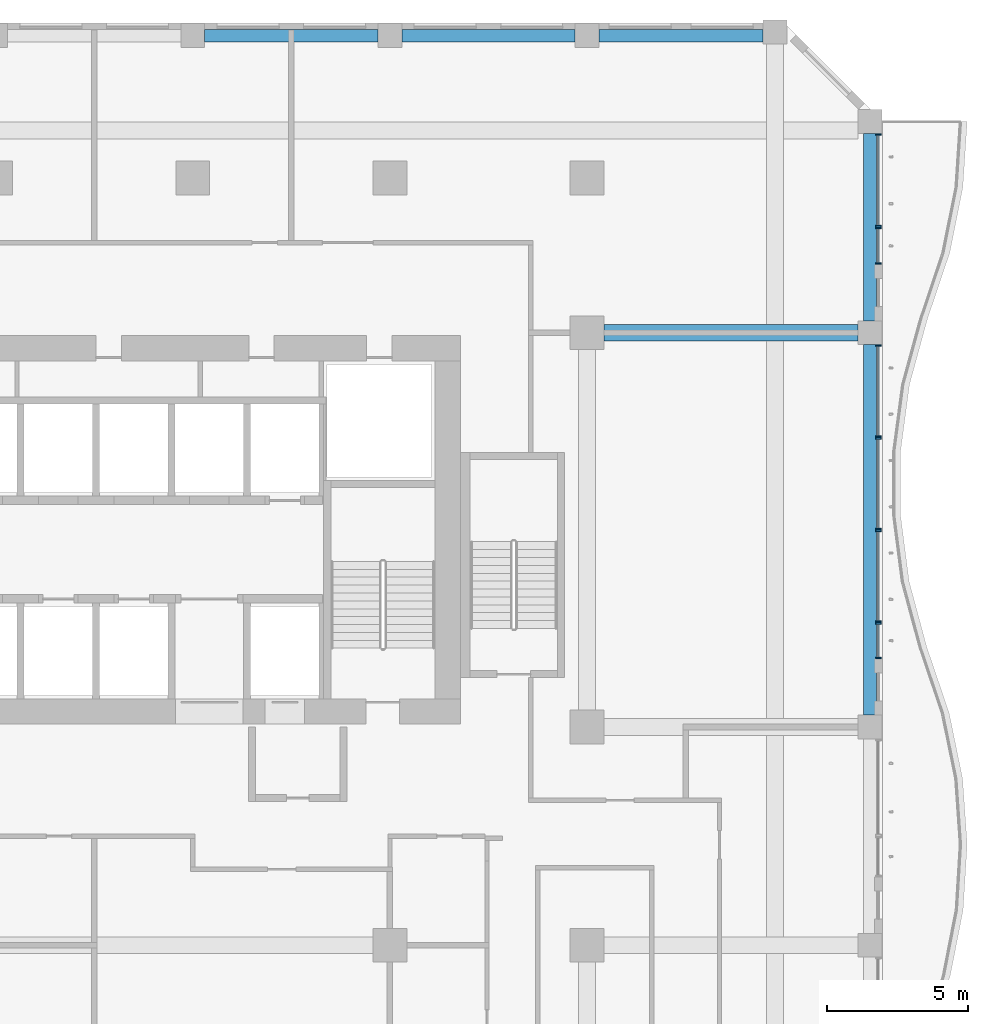
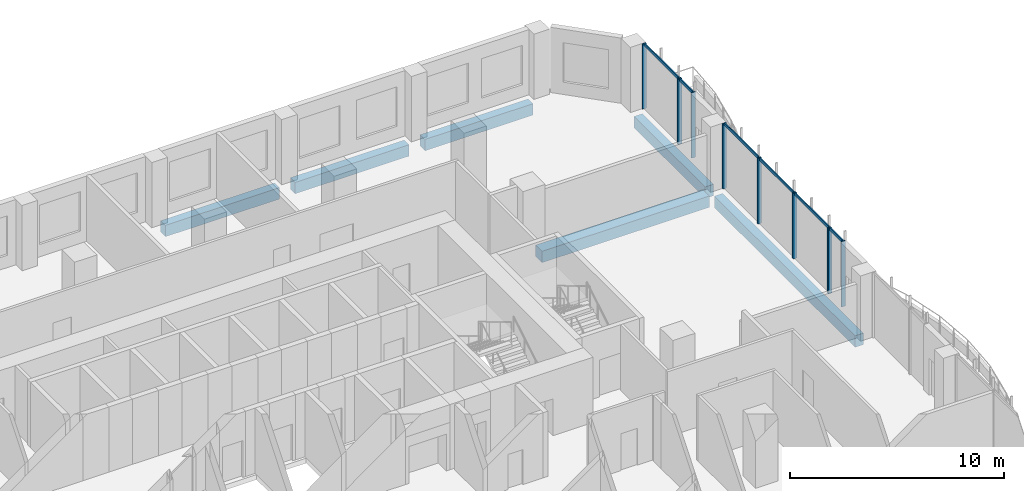
# One storey, part 10 of 27: 18 members, 6 beams, 6 elements without a shape of their own.
"""IFC4 building model written with IfcOpenShell, lengths in metres."""

from ifc_helpers import new_model, si_unit, direction, frame, origin, origin_2d, place, context, subcontext, project, spatial, rectangle, extrude, source, transform, mapped, material, material_profile, profile_set, type_object, element, aggregate, save


model = new_model("IFC4")

# Units and contexts
model_context = context("Model", 3, precision=1e-05, world=origin(), true_north=direction((0.0, 1.0)))
body_context = subcontext(model_context, "Body", "Model", "MODEL_VIEW")
ifc_project = project(units=[si_unit("LENGTHUNIT", "METRE"), si_unit("AREAUNIT", "SQUARE_METRE"), si_unit("VOLUMEUNIT", "CUBIC_METRE"), si_unit("PLANEANGLEUNIT", "RADIAN"), si_unit("MASSUNIT", "GRAM", prefix="KILO")], contexts=[model_context])

# Site, building, storey
site_placement = place(None, origin())
site = spatial("IfcSite", under=ifc_project, at=site_placement, CompositionType="ELEMENT")
building_placement = place(site_placement, origin())
building = spatial("IfcBuilding", under=site, at=building_placement, Name="Kilnfold Tower and Market Hall", CompositionType="ELEMENT")
storey_placement = place(building_placement, frame((0.0, 0.0, 112.60009765625)))
storey = spatial("IfcBuildingStorey", under=building, at=storey_placement, Name="L26", CompositionType="ELEMENT", Elevation=112.60009765625)

# Beams
ifc_material_1 = material(Name="Concrete C45", Category="concrete")
ifc_material_profile_1 = material_profile(ifc_material_1, rectangle(XDim=0.449951171875, YDim=0.64990234375, at=origin_2d()), Name="RC 450x650")
ifc_profile_set_1 = profile_set([ifc_material_profile_1], Name="Concrete C45")
beam_type_1 = type_object("IfcBeamType", Name="EDGE BEAM 450X650 C45", PredefinedType="BEAM", material=ifc_profile_set_1)
shared_shape_1 = source(origin(), body_context, "Body", "SweptSolid", [
    extrude(rectangle(XDim=0.449951171875, YDim=0.64990234375, at=origin_2d()), origin(), (0.0, 0.0, 1.0), 6.14990234375),
])
for number, where, z_axis, x_axis, name in (
    (1, (8.925048828125, 32.550048828125, -0.60498046875), (1.0, 0.0, 0.0), (0.0, 1.0, 0.0), "Beam EB650-B3.71"),
    (2, (15.925048828125, 32.550048828125, -0.60498046875), (1.0, 0.0, 0.0), (0.0, 1.0, 0.0), "Beam EB650-B3.72"),
):
    element("IfcBeam", number, at=place(storey_placement, frame(where, z_axis=z_axis, x_axis=x_axis)), inside=storey, type_object=beam_type_1, Name=name, PredefinedType="BEAM", context=body_context, shape_type="MappedRepresentation", body=[
        mapped(shared_shape_1, transform((0.0, 0.0, 0.0))),
    ])
ifc_material_2 = material(Name="Concrete C45", Category="concrete")
ifc_material_profile_2 = material_profile(ifc_material_2, rectangle(XDim=0.60009765625, YDim=0.64990234375, at=origin_2d()), Name="RC 600x650")
ifc_profile_set_2 = profile_set([ifc_material_profile_2], Name="Concrete C45")
beam_type_2 = type_object("IfcBeamType", Name="BEAM 600X650 C45", PredefinedType="BEAM", material=ifc_profile_set_2)
shared_shape_2 = source(origin(), body_context, "Body", "SweptSolid", [
    extrude(rectangle(XDim=0.60009765625, YDim=0.64990234375, at=origin_2d()), origin(), (0.0, 0.0, 1.0), 9.02490234375),
])
beam_1_placement = place(storey_placement, frame((23.10009765625, 22.0, -0.60498046875), z_axis=(1.0, 0.0, 0.0), x_axis=(0.0, 1.0, 0.0)))
element("IfcBeam", 3, at=beam_1_placement, inside=storey, type_object=beam_type_2, Name="Beam BB650-B3.65", PredefinedType="BEAM", context=body_context, shape_type="MappedRepresentation", body=[
    mapped(shared_shape_2, transform((0.0, 0.0, 0.0))),
])
shared_shape_3 = source(origin(), body_context, "Body", "SweptSolid", [
    extrude(rectangle(XDim=0.449951171875, YDim=0.64990234375, at=origin_2d()), origin(), (0.0, 0.0, 1.0), 5.831787109375),
])
beam_2_placement = place(storey_placement, frame((22.925048828125, 32.550048828125, -0.60498046875), z_axis=(1.0, 0.0, 0.0), x_axis=(0.0, 1.0, 0.0)))
element("IfcBeam", 4, at=beam_2_placement, inside=storey, type_object=beam_type_1, Name="Beam EB650-B3.73", PredefinedType="BEAM", context=body_context, shape_type="MappedRepresentation", body=[
    mapped(shared_shape_3, transform((0.0, 0.0, 0.0))),
])
shared_shape_4 = source(origin(), body_context, "Body", "SweptSolid", [
    extrude(rectangle(XDim=0.449951171875, YDim=0.64990234375, at=origin_2d()), origin(), (0.0, 0.0, 1.0), 13.14990234375),
])
beam_3_placement = place(storey_placement, frame((32.550048828125, 8.425048828125, -0.60498046875), z_axis=(0.0, 1.0, 0.0), x_axis=(-1.0, 0.0, 0.0)))
element("IfcBeam", 5, at=beam_3_placement, inside=storey, type_object=beam_type_1, Name="Beam EB650-B3.86", PredefinedType="BEAM", context=body_context, shape_type="MappedRepresentation", body=[
    mapped(shared_shape_4, transform((0.0, 0.0, 0.0))),
])
shared_shape_5 = source(origin(), body_context, "Body", "SweptSolid", [
    extrude(rectangle(XDim=0.449951171875, YDim=0.64990234375, at=origin_2d()), origin(), (0.0, 0.0, 1.0), 6.64990234375),
])
beam_4_placement = place(storey_placement, frame((32.550048828125, 22.425048828125, -0.60498046875), z_axis=(0.0, 1.0, 0.0), x_axis=(-1.0, 0.0, 0.0)))
element("IfcBeam", 6, at=beam_4_placement, inside=storey, type_object=beam_type_1, Name="Beam EB650-B3.87", PredefinedType="BEAM", context=body_context, shape_type="MappedRepresentation", body=[
    mapped(shared_shape_5, transform((0.0, 0.0, 0.0))),
])

# Curtain wall, members
ifc_material_3 = material(Name="Aluminium and double glazing", Category="aluminium")
curtain_wall_type = type_object("IfcCurtainWallType", Name="CW OF2 VALLEY GLAZING", PredefinedType="NOTDEFINED", material=ifc_material_3)
curtain_wall_1_placement = place(storey_placement, origin())
curtain_wall_1 = element("IfcCurtainWall", 7, at=curtain_wall_1_placement, inside=storey, type_object=curtain_wall_type, Name="Curtain wall CW2 L26 E", PredefinedType="NOTDEFINED")
ifc_material_4 = material(Name="Aluminium", Category="aluminium")
ifc_material_profile_3 = material_profile(ifc_material_4, rectangle(XDim=0.06005859375, YDim=0.199951171875, at=origin_2d()), Name="MULLION 60x200")
ifc_profile_set_3 = profile_set([ifc_material_profile_3], Name="Aluminium")
member_type_1 = type_object("IfcMemberType", Name="MULLION 60X200", PredefinedType="MULLION", material=ifc_profile_set_3)
shared_shape_6 = source(origin(), body_context, "Body", "SweptSolid", [
    extrude(rectangle(XDim=0.06005859375, YDim=0.199951171875, at=origin_2d()), origin(), (0.0, 0.0, 1.0), 3.719970703125),
])
member_1_placement = place(storey_placement, frame((32.85009765625, 10.455078125, 0.0), z_axis=(0.0, 0.0, 1.0), x_axis=(0.0, 1.0, 0.0)))
member_1 = element("IfcMember", 8, at=member_1_placement, type_object=member_type_1, Name="CW2 mullion 1", PredefinedType="MULLION", context=body_context, shape_type="MappedRepresentation", body=[
    mapped(shared_shape_6, transform((0.0, 0.0, 0.0))),
])
member_2_placement = place(storey_placement, frame((32.85009765625, 11.6826171875, 0.0), z_axis=(0.0, 0.0, 1.0), x_axis=(0.0, 1.0, 0.0)))
member_2 = element("IfcMember", 9, at=member_2_placement, type_object=member_type_1, Name="CW2 mullion 2", PredefinedType="MULLION", context=body_context, shape_type="MappedRepresentation", body=[
    mapped(shared_shape_6, transform((0.0, 0.0, 0.0))),
])

curtain_wall_2_placement = place(storey_placement, origin())
curtain_wall_2 = element("IfcCurtainWall", 10, at=curtain_wall_2_placement, inside=storey, type_object=curtain_wall_type, Name="Curtain wall CW2 L26 E", PredefinedType="NOTDEFINED")
member_3_placement = place(storey_placement, frame((32.85009765625, 11.742431640625, 0.0), z_axis=(0.0, 0.0, 1.0), x_axis=(0.0, 1.0, 0.0)))
member_3 = element("IfcMember", 11, at=member_3_placement, type_object=member_type_1, Name="CW2 mullion 1", PredefinedType="MULLION", context=body_context, shape_type="MappedRepresentation", body=[
    mapped(shared_shape_6, transform((0.0, 0.0, 0.0))),
])
member_4_placement = place(storey_placement, frame((32.85009765625, 14.969970703125, 0.0), z_axis=(0.0, 0.0, 1.0), x_axis=(0.0, 1.0, 0.0)))
member_4 = element("IfcMember", 12, at=member_4_placement, type_object=member_type_1, Name="CW2 mullion 2", PredefinedType="MULLION", context=body_context, shape_type="MappedRepresentation", body=[
    mapped(shared_shape_6, transform((0.0, 0.0, 0.0))),
])

curtain_wall_3_placement = place(storey_placement, origin())
curtain_wall_3 = element("IfcCurtainWall", 13, at=curtain_wall_3_placement, inside=storey, type_object=curtain_wall_type, Name="Curtain wall CW2 L26 E", PredefinedType="NOTDEFINED")
member_5_placement = place(storey_placement, frame((32.85009765625, 15.030029296875, 0.0), z_axis=(0.0, 0.0, 1.0), x_axis=(0.0, 1.0, 0.0)))
member_5 = element("IfcMember", 14, at=member_5_placement, type_object=member_type_1, Name="CW2 mullion 1", PredefinedType="MULLION", context=body_context, shape_type="MappedRepresentation", body=[
    mapped(shared_shape_6, transform((0.0, 0.0, 0.0))),
])
member_6_placement = place(storey_placement, frame((32.85009765625, 18.257568359375, 0.0), z_axis=(0.0, 0.0, 1.0), x_axis=(0.0, 1.0, 0.0)))
member_6 = element("IfcMember", 15, at=member_6_placement, type_object=member_type_1, Name="CW2 mullion 2", PredefinedType="MULLION", context=body_context, shape_type="MappedRepresentation", body=[
    mapped(shared_shape_6, transform((0.0, 0.0, 0.0))),
])

curtain_wall_4_placement = place(storey_placement, origin())
curtain_wall_4 = element("IfcCurtainWall", 16, at=curtain_wall_4_placement, inside=storey, type_object=curtain_wall_type, Name="Curtain wall CW2 L26 E", PredefinedType="NOTDEFINED")
member_7_placement = place(storey_placement, frame((32.85009765625, 18.3173828125, 0.0), z_axis=(0.0, 0.0, 1.0), x_axis=(0.0, 1.0, 0.0)))
member_7 = element("IfcMember", 17, at=member_7_placement, type_object=member_type_1, Name="CW2 mullion 1", PredefinedType="MULLION", context=body_context, shape_type="MappedRepresentation", body=[
    mapped(shared_shape_6, transform((0.0, 0.0, 0.0))),
])
member_8_placement = place(storey_placement, frame((32.85009765625, 21.544921875, 0.0), z_axis=(0.0, 0.0, 1.0), x_axis=(0.0, 1.0, 0.0)))
member_8 = element("IfcMember", 18, at=member_8_placement, type_object=member_type_1, Name="CW2 mullion 2", PredefinedType="MULLION", context=body_context, shape_type="MappedRepresentation", body=[
    mapped(shared_shape_6, transform((0.0, 0.0, 0.0))),
])

curtain_wall_5_placement = place(storey_placement, origin())
curtain_wall_5 = element("IfcCurtainWall", 19, at=curtain_wall_5_placement, inside=storey, type_object=curtain_wall_type, Name="Curtain wall CW2 L26 E", PredefinedType="NOTDEFINED")
member_9_placement = place(storey_placement, frame((32.85009765625, 24.455078125, 0.0), z_axis=(0.0, 0.0, 1.0), x_axis=(0.0, 1.0, 0.0)))
member_9 = element("IfcMember", 20, at=member_9_placement, type_object=member_type_1, Name="CW2 mullion 1", PredefinedType="MULLION", context=body_context, shape_type="MappedRepresentation", body=[
    mapped(shared_shape_6, transform((0.0, 0.0, 0.0))),
])
member_10_placement = place(storey_placement, frame((32.85009765625, 25.719970703125, 0.0), z_axis=(0.0, 0.0, 1.0), x_axis=(0.0, 1.0, 0.0)))
member_10 = element("IfcMember", 21, at=member_10_placement, type_object=member_type_1, Name="CW2 mullion 2", PredefinedType="MULLION", context=body_context, shape_type="MappedRepresentation", body=[
    mapped(shared_shape_6, transform((0.0, 0.0, 0.0))),
])

curtain_wall_6_placement = place(storey_placement, origin())
curtain_wall_6 = element("IfcCurtainWall", 22, at=curtain_wall_6_placement, inside=storey, type_object=curtain_wall_type, Name="Curtain wall CW2 L26 E", PredefinedType="NOTDEFINED")
member_11_placement = place(storey_placement, frame((32.85009765625, 25.780029296875, 0.0), z_axis=(0.0, 0.0, 1.0), x_axis=(0.0, 1.0, 0.0)))
member_11 = element("IfcMember", 23, at=member_11_placement, type_object=member_type_1, Name="CW2 mullion 1", PredefinedType="MULLION", context=body_context, shape_type="MappedRepresentation", body=[
    mapped(shared_shape_6, transform((0.0, 0.0, 0.0))),
])
member_12_placement = place(storey_placement, frame((32.85009765625, 29.044921875, 0.0), z_axis=(0.0, 0.0, 1.0), x_axis=(0.0, 1.0, 0.0)))
member_12 = element("IfcMember", 24, at=member_12_placement, type_object=member_type_1, Name="CW2 mullion 2", PredefinedType="MULLION", context=body_context, shape_type="MappedRepresentation", body=[
    mapped(shared_shape_6, transform((0.0, 0.0, 0.0))),
])

# Member
ifc_material_5 = material(Name="Aluminium", Category="aluminium")
ifc_material_profile_4 = material_profile(ifc_material_5, rectangle(XDim=0.06005859375, YDim=0.159912109375, at=origin_2d()), Name="TRANSOM 60x160")
ifc_profile_set_4 = profile_set([ifc_material_profile_4], Name="Aluminium")
member_type_2 = type_object("IfcMemberType", Name="TRANSOM 60X160", PredefinedType="USERDEFINED", material=ifc_profile_set_4)
shared_shape_7 = source(origin(), body_context, "Body", "SweptSolid", [
    extrude(rectangle(XDim=0.06005859375, YDim=0.159912109375, at=origin_2d()), origin(), (0.0, 0.0, 1.0), 3.16748046875),
])
member_13_placement = place(storey_placement, frame((32.85009765625, 11.7724609375, 3.68994140625), z_axis=(0.0, 1.0, 0.0), x_axis=(-1.0, 0.0, 0.0)))
member_13 = element("IfcMember", 25, at=member_13_placement, type_object=member_type_2, Name="CW2 transom 1.2", ObjectType="TRANSOM", PredefinedType="USERDEFINED", context=body_context, shape_type="MappedRepresentation", body=[
    mapped(shared_shape_7, transform((0.0, 0.0, 0.0))),
])

aggregate(curtain_wall_2, [member_3, member_4, member_13])

member_14_placement = place(storey_placement, frame((32.85009765625, 15.06005859375, 3.68994140625), z_axis=(0.0, 1.0, 0.0), x_axis=(-1.0, 0.0, 0.0)))
member_14 = element("IfcMember", 26, at=member_14_placement, type_object=member_type_2, Name="CW2 transom 1.2", ObjectType="TRANSOM", PredefinedType="USERDEFINED", context=body_context, shape_type="MappedRepresentation", body=[
    mapped(shared_shape_7, transform((0.0, 0.0, 0.0))),
])

aggregate(curtain_wall_3, [member_5, member_6, member_14])

member_15_placement = place(storey_placement, frame((32.85009765625, 18.347412109375, 3.68994140625), z_axis=(0.0, 1.0, 0.0), x_axis=(-1.0, 0.0, 0.0)))
member_15 = element("IfcMember", 27, at=member_15_placement, type_object=member_type_2, Name="CW2 transom 1.2", ObjectType="TRANSOM", PredefinedType="USERDEFINED", context=body_context, shape_type="MappedRepresentation", body=[
    mapped(shared_shape_7, transform((0.0, 0.0, 0.0))),
])

aggregate(curtain_wall_4, [member_7, member_8, member_15])

shared_shape_8 = source(origin(), body_context, "Body", "SweptSolid", [
    extrude(rectangle(XDim=0.06005859375, YDim=0.159912109375, at=origin_2d()), origin(), (0.0, 0.0, 1.0), 3.204833984375),
])
member_16_placement = place(storey_placement, frame((32.85009765625, 25.81005859375, 3.68994140625), z_axis=(0.0, 1.0, 0.0), x_axis=(-1.0, 0.0, 0.0)))
member_16 = element("IfcMember", 28, at=member_16_placement, type_object=member_type_2, Name="CW2 transom 1.2", ObjectType="TRANSOM", PredefinedType="USERDEFINED", context=body_context, shape_type="MappedRepresentation", body=[
    mapped(shared_shape_8, transform((0.0, 0.0, 0.0))),
])

aggregate(curtain_wall_6, [member_11, member_12, member_16])

shared_shape_9 = source(origin(), body_context, "Body", "SweptSolid", [
    extrude(rectangle(XDim=0.06005859375, YDim=0.159912109375, at=origin_2d()), origin(), (0.0, 0.0, 1.0), 1.16748046875),
])
member_17_placement = place(storey_placement, frame((32.85009765625, 10.485107421875, 3.68994140625), z_axis=(0.0, 1.0, 0.0), x_axis=(-1.0, 0.0, 0.0)))
member_17 = element("IfcMember", 29, at=member_17_placement, type_object=member_type_2, Name="CW2 transom 1.2", ObjectType="TRANSOM", PredefinedType="USERDEFINED", context=body_context, shape_type="MappedRepresentation", body=[
    mapped(shared_shape_9, transform((0.0, 0.0, 0.0))),
])

aggregate(curtain_wall_1, [member_1, member_2, member_17])

shared_shape_10 = source(origin(), body_context, "Body", "SweptSolid", [
    extrude(rectangle(XDim=0.06005859375, YDim=0.159912109375, at=origin_2d()), origin(), (0.0, 0.0, 1.0), 1.204833984375),
])
member_18_placement = place(storey_placement, frame((32.85009765625, 24.485107421875, 3.68994140625), z_axis=(0.0, 1.0, 0.0), x_axis=(-1.0, 0.0, 0.0)))
member_18 = element("IfcMember", 30, at=member_18_placement, type_object=member_type_2, Name="CW2 transom 1.2", ObjectType="TRANSOM", PredefinedType="USERDEFINED", context=body_context, shape_type="MappedRepresentation", body=[
    mapped(shared_shape_10, transform((0.0, 0.0, 0.0))),
])

aggregate(curtain_wall_5, [member_9, member_10, member_18])

save(model, "model.ifc")
